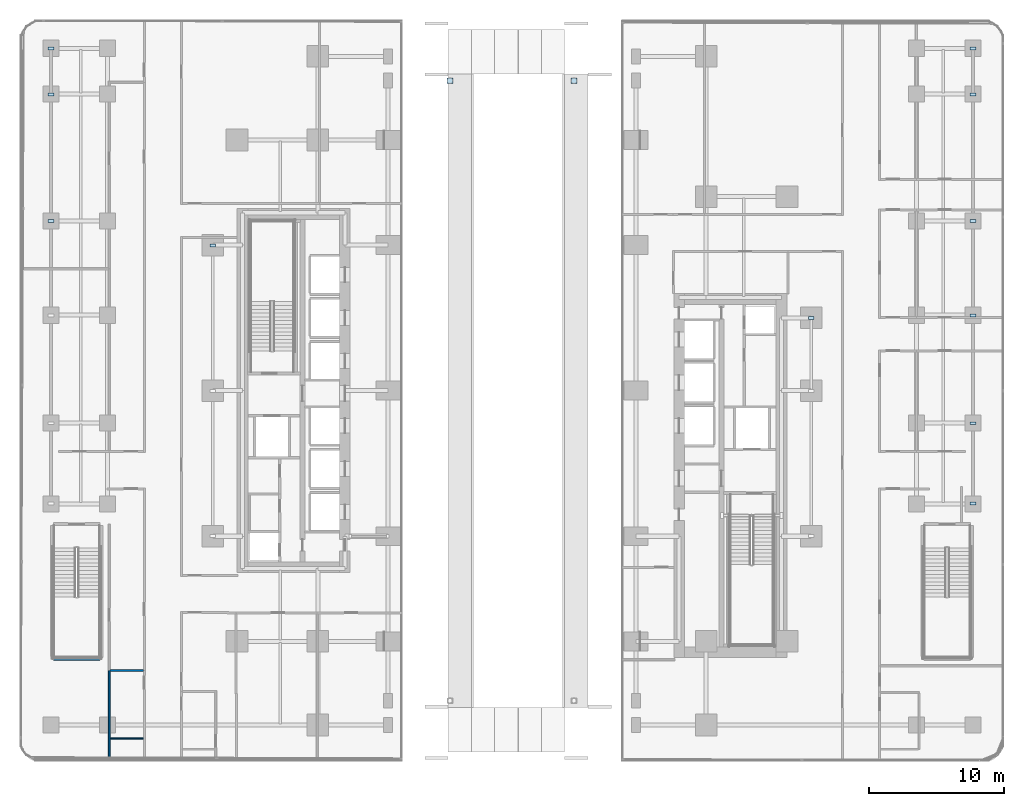
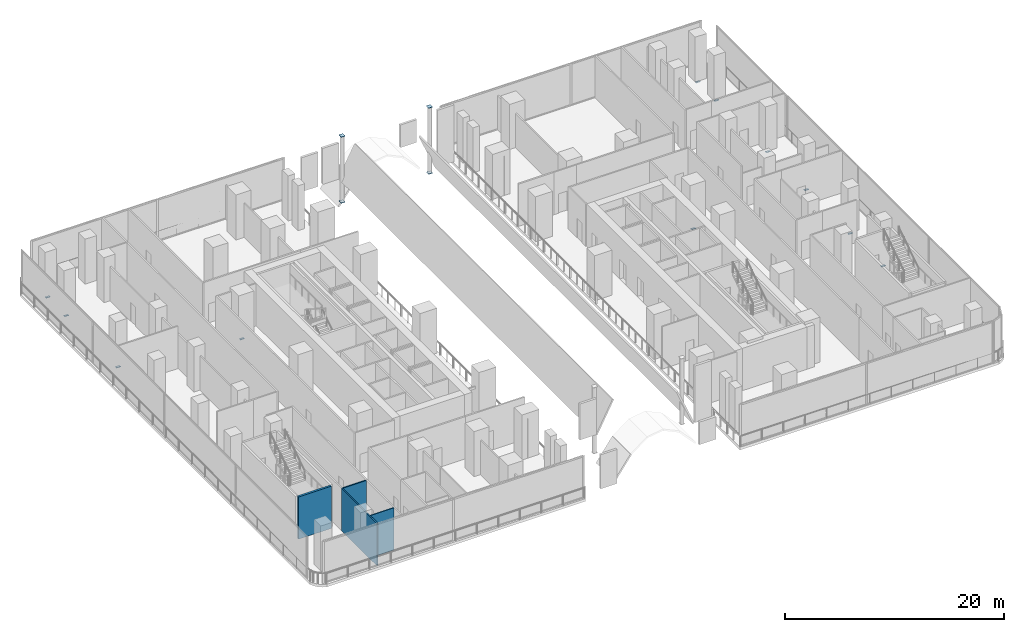
# One storey, part 7 of 31: 15 plates, 4 walls.
"""IFC4 building model written with IfcOpenShell, lengths in metres."""

from ifc_helpers import new_model, si_unit, direction, frame, frame_2d, origin, origin_2d, place, context, subcontext, project, spatial, rectangle, extrude, material, layer, layer_set, type_object, element, save


model = new_model("IFC4")

# Units and contexts
model_context = context("Model", 3, precision=1e-05, world=origin(), true_north=direction((0.0, 1.0)))
body_context = subcontext(model_context, "Body", "Model", "MODEL_VIEW")
ifc_project = project(units=[si_unit("LENGTHUNIT", "METRE"), si_unit("AREAUNIT", "SQUARE_METRE"), si_unit("VOLUMEUNIT", "CUBIC_METRE"), si_unit("PLANEANGLEUNIT", "RADIAN"), si_unit("MASSUNIT", "GRAM", prefix="KILO")], contexts=[model_context])

# Site, building, storey
site_placement = place(None, origin())
site = spatial("IfcSite", under=ifc_project, at=site_placement, CompositionType="ELEMENT")
building_placement = place(site_placement, origin())
building = spatial("IfcBuilding", under=site, at=building_placement, Name="Khairoan Windgate Tower", CompositionType="ELEMENT")
storey_placement = place(building_placement, frame((0.0, 0.0, 11.0)))
storey = spatial("IfcBuildingStorey", under=building, at=storey_placement, Name="L03", CompositionType="ELEMENT", Elevation=11.0)

# Plates
ifc_material_1 = material(Name="Steel S355", Category="steel")
ifc_layer_1 = layer(ifc_material_1, 0.0400390625, Name="Steel S355")
ifc_layer_set_1 = layer_set([ifc_layer_1], Name="Steel S355")
plate_type = type_object("IfcPlateType", Name="Hollow Section End-Cap Plate PL-CAP40", PredefinedType="SHEET", material=ifc_layer_set_1)
for number, where, z_axis, x_axis, name in (
    (1, (-4.60009765625, 23.0, 1.169921875), (0.0, 0.0, 1.0), (1.0, 0.0, 0.0), "ARCH-POST-N-1 steel end-cap plate 1"),
    (2, (-4.60009765625, 23.0, 8.514892578125), (0.0, 0.0, 1.0), (1.0, 0.0, 0.0), "ARCH-POST-N-1 steel end-cap plate 2"),
    (3, (4.60009765625, 23.0, 1.169921875), (0.0, 0.0, 1.0), (1.0, 0.0, 0.0), "ARCH-POST-N-2 steel end-cap plate 1"),
    (4, (4.60009765625, 23.0, 8.514892578125), (0.0, 0.0, 1.0), (1.0, 0.0, 0.0), "ARCH-POST-N-2 steel end-cap plate 2"),
):
    element("IfcPlate", number, at=place(storey_placement, frame(where, z_axis=z_axis, x_axis=x_axis)), inside=storey, type_object=plate_type, Name=name, PredefinedType="SHEET", context=body_context, shape_type="SweptSolid", body=[
        extrude(rectangle(XDim=0.426513671875, YDim=0.426513671875, at=origin_2d()), origin(), (0.0, 0.0, 1.0), 0.0400390625),
    ])
for number, where, z_axis, x_axis, name in (
    (5, (-34.199951171875, 12.5849609375, -0.52001953125), (0.0, 0.0, 1.0), (0.0, 1.0, 0.0), "BM-SP-L03-045 steel end-cap plate 2"),
    (6, (-34.199951171875, 21.985107421875, -0.52001953125), (0.0, 0.0, 1.0), (0.0, 1.0, 0.0), "BM-SP-L03-046 steel end-cap plate 2"),
    (7, (-34.199951171875, 25.385009765625, -0.52001953125), (0.0, 0.0, 1.0), (0.0, 1.0, 0.0), "BM-SP-L03-047 steel end-cap plate 2"),
    (8, (-22.199951171875, 10.784912109375, -0.52001953125), (0.0, 0.0, 1.0), (0.0, 1.0, 0.0), "BM-SP-L03-054 steel end-cap plate 2"),
    (9, (22.199951171875, 5.385009765625, -0.52001953125), (0.0, 0.0, 1.0), (0.0, 1.0, 0.0), "BM-SP-L03-085 steel end-cap plate 2"),
    (10, (34.199951171875, -8.385009765625, -0.52001953125), (0.0, 0.0, 1.0), (0.0, 1.0, 0.0), "BM-SP-L03-091 steel end-cap plate 1"),
    (11, (34.199951171875, -2.4150390625, -0.52001953125), (0.0, 0.0, 1.0), (0.0, 1.0, 0.0), "BM-SP-L03-091 steel end-cap plate 2"),
    (12, (34.199951171875, 5.5849609375, -0.52001953125), (0.0, 0.0, 1.0), (0.0, 1.0, 0.0), "BM-SP-L03-092 steel end-cap plate 2"),
    (13, (34.199951171875, 12.5849609375, -0.52001953125), (0.0, 0.0, 1.0), (0.0, 1.0, 0.0), "BM-SP-L03-093 steel end-cap plate 2"),
    (14, (34.199951171875, 21.985107421875, -0.52001953125), (0.0, 0.0, 1.0), (0.0, 1.0, 0.0), "BM-SP-L03-094 steel end-cap plate 2"),
    (15, (34.199951171875, 25.385009765625, -0.52001953125), (0.0, 0.0, 1.0), (0.0, 1.0, 0.0), "BM-SP-L03-095 steel end-cap plate 2"),
):
    element("IfcPlate", number, at=place(storey_placement, frame(where, z_axis=z_axis, x_axis=x_axis)), inside=storey, type_object=plate_type, Name=name, PredefinedType="SHEET", context=body_context, shape_type="SweptSolid", body=[
        extrude(rectangle(XDim=0.219970703125, YDim=0.419921875, at=origin_2d()), origin(), (0.0, 0.0, 1.0), 0.0400390625),
    ])

# Walls
ifc_material_2 = material(Name="Moisture-Resistant Gypsum Partition", Category="gypsum")
ifc_layer_2 = layer(ifc_material_2, 0.10009765625, Name="Moisture-Resistant Gypsum Partition")
ifc_layer_set_2 = layer_set([ifc_layer_2], Name="Moisture-Resistant Gypsum Partition")
wall_type_1 = type_object("IfcWallType", Name="Bathroom Wet-Area Partition Wall", PredefinedType="PARTITIONING", material=ifc_layer_set_2)
wall_1_placement = place(storey_placement, frame((-27.35498046875, -25.800048828125, 0.0), z_axis=(0.0, 0.0, 1.0), x_axis=(-1.0, 0.0, 0.0)))
element("IfcWall", 16, at=wall_1_placement, inside=storey, type_object=wall_type_1, Name="L03 Wet Room Side Wall 076", PredefinedType="PARTITIONING", context=body_context, shape_type="SweptSolid", body=[
    extrude(rectangle(XDim=2.455078125, YDim=0.10009765625, at=frame_2d((1.2275390625, 0.0))), origin(), (0.0, 0.0, 1.0), 4.699951171875),
])
ifc_material_3 = material(Name="Acoustic Fire-Rated Gypsum Partition", Category="gypsum")
ifc_layer_3 = layer(ifc_material_3, 0.139892578125, Name="Acoustic Fire-Rated Gypsum Partition")
ifc_layer_set_3 = layer_set([ifc_layer_3], Name="Acoustic Fire-Rated Gypsum Partition")
wall_type_2 = type_object("IfcWallType", Name="Inter-Tenancy Compartment Wall", PredefinedType="PARTITIONING", material=ifc_layer_set_3)
wall_2_placement = place(storey_placement, frame((-29.81005859375, -20.760009765625, 0.0), z_axis=(0.0, 0.0, 1.0), x_axis=(1.0, 0.0, 0.0)))
element("IfcWall", 17, at=wall_2_placement, inside=storey, type_object=wall_type_2, Name="L03 Interior Partition 031", PredefinedType="PARTITIONING", context=body_context, shape_type="SweptSolid", body=[
    extrude(rectangle(XDim=2.455078125, YDim=0.139892578125, at=frame_2d((1.2275390625, 0.0))), origin(), (0.0, 0.0, 1.0), 4.699951171875),
])
wall_3_placement = place(storey_placement, frame((-29.8798828125, -27.240966796875, 0.0), z_axis=(0.0, 0.0, 1.0), x_axis=(0.0, 1.0, 0.0)))
element("IfcWall", 18, at=wall_3_placement, inside=storey, type_object=wall_type_2, Name="L03 Interior Partition 032", PredefinedType="PARTITIONING", context=body_context, shape_type="SweptSolid", body=[
    extrude(rectangle(XDim=6.48095703125, YDim=0.139892578125, at=frame_2d((3.240478515625, 0.0))), origin(), (0.0, 0.0, 1.0), 4.699951171875),
])
ifc_material_4 = material(Name="Concrete C50/60", Category="concrete")
ifc_layer_4 = layer(ifc_material_4, 0.219970703125, Name="Concrete C50/60")
ifc_layer_set_4 = layer_set([ifc_layer_4], Name="Concrete C50/60")
wall_type_3 = type_object("IfcWallType", Name="Shear Wall SW-ST 220mm", PredefinedType="SHEAR", material=ifc_layer_set_4)
wall_4_placement = place(storey_placement, frame((-34.02001953125, -19.909912109375, 0.0), z_axis=(0.0, 0.0, 1.0), x_axis=(1.0, 0.0, 0.0)))
element("IfcWall", 19, at=wall_4_placement, inside=storey, type_object=wall_type_3, Name="L03 ST4 South Bearing Wall", PredefinedType="SHEAR", context=body_context, shape_type="SweptSolid", body=[
    extrude(rectangle(XDim=3.469970703125, YDim=0.219970703125, at=frame_2d((1.73486328125, 0.0))), origin(), (0.0, 0.0, 1.0), 4.699951171875),
])

save(model, "model.ifc")
